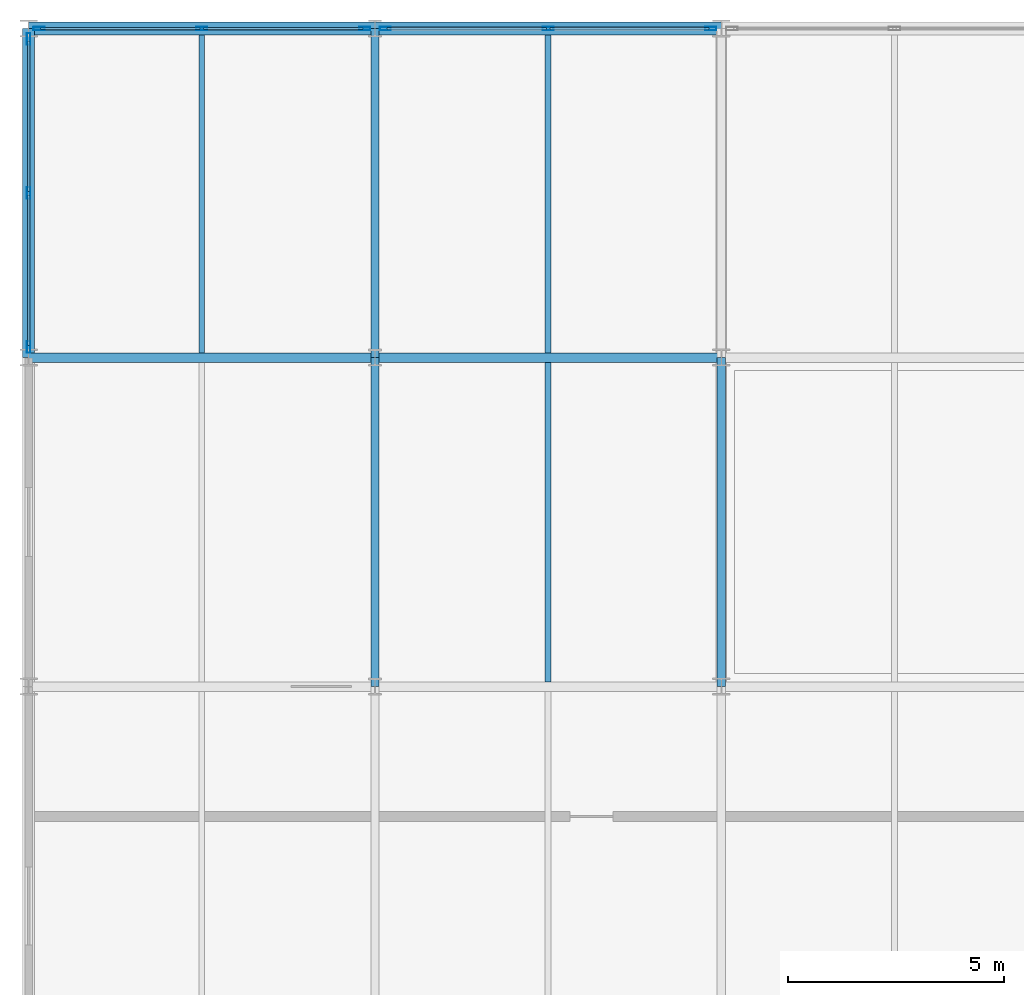
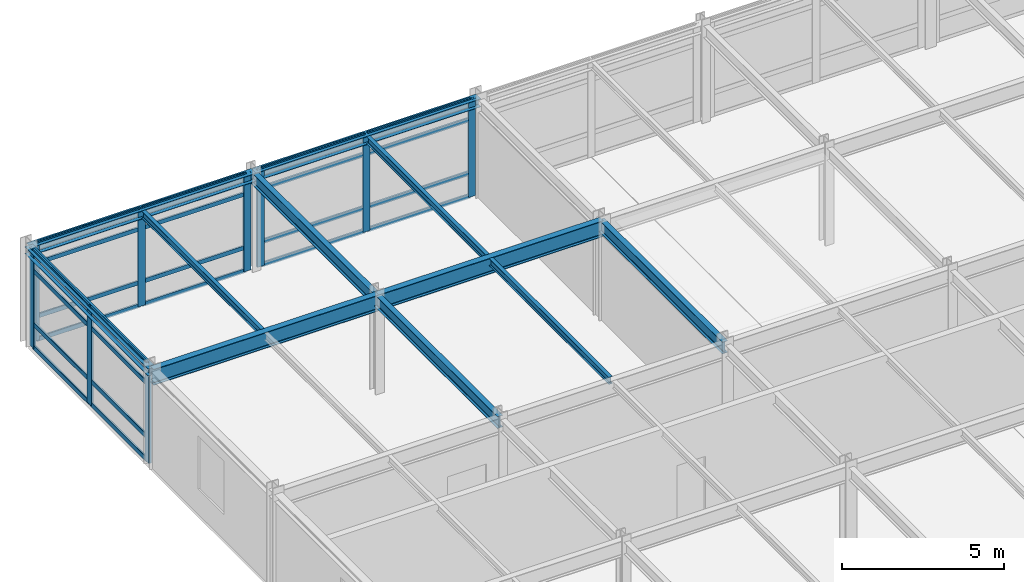
# One storey, part 6 of 14: 33 members, 11 beams, 3 elements without a shape of their own.
"""IFC4 building model written with IfcOpenShell, lengths in metres."""

from ifc_helpers import new_model, si_unit, direction, frame, origin, origin_2d, place, context, subcontext, project, spatial, hollow_rectangle, i_section, extrude, material, layer, layer_set, material_profile, profile_set, type_object, element, aggregate, save


model = new_model("IFC4")

# Units and contexts
model_context = context("Model", 3, precision=1e-05, world=origin(), true_north=direction((0.0, 1.0)))
body_context = subcontext(model_context, "Body", "Model", "MODEL_VIEW")
ifc_project = project(units=[si_unit("LENGTHUNIT", "METRE"), si_unit("AREAUNIT", "SQUARE_METRE"), si_unit("VOLUMEUNIT", "CUBIC_METRE"), si_unit("PLANEANGLEUNIT", "RADIAN"), si_unit("MASSUNIT", "GRAM", prefix="KILO")], contexts=[model_context])

# Site, building, storey
site_placement = place(None, origin())
site = spatial("IfcSite", under=ifc_project, at=site_placement, CompositionType="ELEMENT")
building_placement = place(site_placement, origin())
building = spatial("IfcBuilding", under=site, at=building_placement, Name="Shalkamar Park Central Library", CompositionType="ELEMENT")
storey_placement = place(building_placement, frame((0.0, 0.0, 28.199951171875)))
storey = spatial("IfcBuildingStorey", under=building, at=storey_placement, Name="L07", CompositionType="ELEMENT", Elevation=28.199951171875)

# Beams
ifc_material_1 = material(Name="Steel S355", Category="steel")
ifc_material_profile_1 = material_profile(ifc_material_1, i_section(OverallWidth=0.135009765625, OverallDepth=0.27001953125, WebThickness=0.006591796875, FlangeThickness=0.01025390625, FilletRadius=0.014892578125, at=origin_2d()), Name="IPE 270")
ifc_profile_set_1 = profile_set([ifc_material_profile_1], Name="Steel S355")
beam_type_1 = type_object("IfcBeamType", Name="Composite Floor Joist IPE270", PredefinedType="JOIST", material=ifc_profile_set_1)
beam_1_placement = place(storey_placement, frame((169.0, 285.7080078125, 3.525146484375), z_axis=(0.0, 1.0, 0.0), x_axis=(-1.0, 0.0, 0.0)))
element("IfcBeam", 1, at=beam_1_placement, inside=storey, type_object=beam_type_1, Name="Composite Joist 07/G-1 (L07)", PredefinedType="JOIST", context=body_context, shape_type="SweptSolid", body=[
    extrude(i_section(OverallWidth=0.135009765625, OverallDepth=0.27001953125, WebThickness=0.006591796875, FlangeThickness=0.01025390625, FilletRadius=0.014892578125, at=origin_2d()), origin(), (0.0, 0.0, 1.0), 7.343994140625),
])
beam_2_placement = place(storey_placement, frame((177.0, 278.10791015625, 3.525146484375), z_axis=(0.0, 1.0, 0.0), x_axis=(-1.0, 0.0, 0.0)))
element("IfcBeam", 2, at=beam_2_placement, inside=storey, type_object=beam_type_1, Name="Composite Joist 08/F-1 (L07)", PredefinedType="JOIST", context=body_context, shape_type="SweptSolid", body=[
    extrude(i_section(OverallWidth=0.135009765625, OverallDepth=0.27001953125, WebThickness=0.006591796875, FlangeThickness=0.01025390625, FilletRadius=0.014892578125, at=origin_2d()), origin(), (0.0, 0.0, 1.0), 7.384033203125),
])
beam_3_placement = place(storey_placement, frame((177.0, 285.7080078125, 3.525146484375), z_axis=(0.0, 1.0, 0.0), x_axis=(-1.0, 0.0, 0.0)))
element("IfcBeam", 3, at=beam_3_placement, inside=storey, type_object=beam_type_1, Name="Composite Joist 08/G-1 (L07)", PredefinedType="JOIST", context=body_context, shape_type="SweptSolid", body=[
    extrude(i_section(OverallWidth=0.135009765625, OverallDepth=0.27001953125, WebThickness=0.006591796875, FlangeThickness=0.01025390625, FilletRadius=0.014892578125, at=origin_2d()), origin(), (0.0, 0.0, 1.0), 7.343994140625),
])

# Curtain wall, members
ifc_material_2 = material(Name="Thermally broken aluminium and triple low-e curtain wall", Category="aluminium")
ifc_layer_1 = layer(ifc_material_2, 0.260009765625)
ifc_layer_set_1 = layer_set([ifc_layer_1], Name="UnitisedCurtainWall_72")
curtain_wall_type_1 = type_object("IfcCurtainWallType", Name="Unitised Curtain Wall 72", PredefinedType="USERDEFINED", material=ifc_layer_set_1)
curtain_wall_1_placement = place(storey_placement, origin())
curtain_wall_1 = element("IfcCurtainWall", 4, at=curtain_wall_1_placement, inside=storey, type_object=curtain_wall_type_1, Name="Unitised Curtain Wall CW-L07-096", ObjectType="UNITISED CURTAIN WALL", PredefinedType="USERDEFINED")
ifc_material_3 = material(Name="Aluminium 6060-T66", Category="aluminium")
ifc_material_profile_2 = material_profile(ifc_material_3, hollow_rectangle(XDim=0.074951171875, YDim=0.260009765625, WallThickness=0.00439453125, InnerFilletRadius=0.00439453125, OuterFilletRadius=0.0068359375, at=origin_2d()), Name="ALU 75x260x4.5")
ifc_profile_set_2 = profile_set([ifc_material_profile_2], Name="Aluminium 6060-T66")
member_type_1 = type_object("IfcMemberType", Name="Curtain Wall Mullion ALU75x260", PredefinedType="MULLION", material=ifc_profile_set_2)
member_1_placement = place(storey_placement, frame((165.240478515625, 293.199951171875, 0.0), z_axis=(0.0, 0.0, 1.0), x_axis=(0.0, 1.0, 0.0)))
member_1 = element("IfcMember", 5, at=member_1_placement, type_object=member_type_1, Name="CW-72 mullion 1", PredefinedType="MULLION", context=body_context, shape_type="SweptSolid", body=[
    extrude(hollow_rectangle(XDim=0.074951171875, YDim=0.260009765625, WallThickness=0.00439453125, InnerFilletRadius=0.00439453125, OuterFilletRadius=0.0068359375, at=origin_2d()), origin(), (0.0, 0.0, 1.0), 3.66015625),
])
member_2_placement = place(storey_placement, frame((169.000732421875, 293.199951171875, 0.0), z_axis=(0.0, 0.0, 1.0), x_axis=(0.0, 1.0, 0.0)))
member_2 = element("IfcMember", 6, at=member_2_placement, type_object=member_type_1, Name="CW-72 mullion 2", PredefinedType="MULLION", context=body_context, shape_type="SweptSolid", body=[
    extrude(hollow_rectangle(XDim=0.074951171875, YDim=0.260009765625, WallThickness=0.00439453125, InnerFilletRadius=0.00439453125, OuterFilletRadius=0.0068359375, at=origin_2d()), origin(), (0.0, 0.0, 1.0), 3.66015625),
])
member_3_placement = place(storey_placement, frame((172.760986328125, 293.199951171875, 0.0), z_axis=(0.0, 0.0, 1.0), x_axis=(0.0, 1.0, 0.0)))
member_3 = element("IfcMember", 7, at=member_3_placement, type_object=member_type_1, Name="CW-72 mullion 3", PredefinedType="MULLION", context=body_context, shape_type="SweptSolid", body=[
    extrude(hollow_rectangle(XDim=0.074951171875, YDim=0.260009765625, WallThickness=0.00439453125, InnerFilletRadius=0.00439453125, OuterFilletRadius=0.0068359375, at=origin_2d()), origin(), (0.0, 0.0, 1.0), 3.66015625),
])

ifc_layer_2 = layer(ifc_material_2, 0.2548828125)
ifc_layer_set_2 = layer_set([ifc_layer_2], Name="UnitisedCurtainWall_69")
curtain_wall_type_2 = type_object("IfcCurtainWallType", Name="Unitised Curtain Wall 69", PredefinedType="USERDEFINED", material=ifc_layer_set_2)
curtain_wall_2_placement = place(storey_placement, origin())
curtain_wall_2 = element("IfcCurtainWall", 8, at=curtain_wall_2_placement, inside=storey, type_object=curtain_wall_type_2, Name="Unitised Curtain Wall CW-L07-097", ObjectType="UNITISED CURTAIN WALL", PredefinedType="USERDEFINED")
ifc_material_profile_3 = material_profile(ifc_material_3, hollow_rectangle(XDim=0.080078125, YDim=0.2548828125, WallThickness=0.00439453125, InnerFilletRadius=0.00439453125, OuterFilletRadius=0.0068359375, at=origin_2d()), Name="ALU 80x255x4.5")
ifc_profile_set_3 = profile_set([ifc_material_profile_3], Name="Aluminium 6060-T66")
member_type_2 = type_object("IfcMemberType", Name="Curtain Wall Mullion ALU80x255", PredefinedType="MULLION", material=ifc_profile_set_3)
member_4_placement = place(storey_placement, frame((173.241455078125, 293.199951171875, 0.0), z_axis=(0.0, 0.0, 1.0), x_axis=(0.0, 1.0, 0.0)))
member_4 = element("IfcMember", 9, at=member_4_placement, type_object=member_type_2, Name="CW-69 mullion 1", PredefinedType="MULLION", context=body_context, shape_type="SweptSolid", body=[
    extrude(hollow_rectangle(XDim=0.080078125, YDim=0.2548828125, WallThickness=0.00439453125, InnerFilletRadius=0.00439453125, OuterFilletRadius=0.0068359375, at=origin_2d()), origin(), (0.0, 0.0, 1.0), 3.66015625),
])
member_5_placement = place(storey_placement, frame((176.999267578125, 293.199951171875, 0.0), z_axis=(0.0, 0.0, 1.0), x_axis=(0.0, 1.0, 0.0)))
member_5 = element("IfcMember", 10, at=member_5_placement, type_object=member_type_2, Name="CW-69 mullion 2", PredefinedType="MULLION", context=body_context, shape_type="SweptSolid", body=[
    extrude(hollow_rectangle(XDim=0.080078125, YDim=0.2548828125, WallThickness=0.00439453125, InnerFilletRadius=0.00439453125, OuterFilletRadius=0.0068359375, at=origin_2d()), origin(), (0.0, 0.0, 1.0), 3.66015625),
])
member_6_placement = place(storey_placement, frame((180.757080078125, 293.199951171875, 0.0), z_axis=(0.0, 0.0, 1.0), x_axis=(0.0, 1.0, 0.0)))
member_6 = element("IfcMember", 11, at=member_6_placement, type_object=member_type_2, Name="CW-69 mullion 3", PredefinedType="MULLION", context=body_context, shape_type="SweptSolid", body=[
    extrude(hollow_rectangle(XDim=0.080078125, YDim=0.2548828125, WallThickness=0.00439453125, InnerFilletRadius=0.00439453125, OuterFilletRadius=0.0068359375, at=origin_2d()), origin(), (0.0, 0.0, 1.0), 3.66015625),
])

ifc_layer_3 = layer(ifc_material_2, 0.27001953125)
ifc_layer_set_3 = layer_set([ifc_layer_3], Name="UnitisedCurtainWall_74")
curtain_wall_type_3 = type_object("IfcCurtainWallType", Name="Unitised Curtain Wall 74", PredefinedType="USERDEFINED", material=ifc_layer_set_3)
curtain_wall_3_placement = place(storey_placement, origin())
curtain_wall_3 = element("IfcCurtainWall", 12, at=curtain_wall_3_placement, inside=storey, type_object=curtain_wall_type_3, Name="Unitised Curtain Wall CW-L07-103", ObjectType="UNITISED CURTAIN WALL", PredefinedType="USERDEFINED")
ifc_material_profile_4 = material_profile(ifc_material_3, hollow_rectangle(XDim=0.080078125, YDim=0.27001953125, WallThickness=0.0048828125, InnerFilletRadius=0.0048828125, OuterFilletRadius=0.007568359375, at=origin_2d()), Name="ALU 80x270x5")
ifc_profile_set_4 = profile_set([ifc_material_profile_4], Name="Aluminium 6060-T66")
member_type_3 = type_object("IfcMemberType", Name="Curtain Wall Mullion ALU80x270", PredefinedType="MULLION", material=ifc_profile_set_4)
member_7_placement = place(storey_placement, frame((165.0, 285.843017578125, 0.0), z_axis=(0.0, 0.0, 1.0), x_axis=(-1.0, 0.0, 0.0)))
member_7 = element("IfcMember", 13, at=member_7_placement, type_object=member_type_3, Name="CW-74 mullion 1", PredefinedType="MULLION", context=body_context, shape_type="SweptSolid", body=[
    extrude(hollow_rectangle(XDim=0.080078125, YDim=0.27001953125, WallThickness=0.0048828125, InnerFilletRadius=0.0048828125, OuterFilletRadius=0.007568359375, at=origin_2d()), origin(), (0.0, 0.0, 1.0), 3.66015625),
])
member_8_placement = place(storey_placement, frame((165.0, 289.39990234375, 0.0), z_axis=(0.0, 0.0, 1.0), x_axis=(-1.0, 0.0, 0.0)))
member_8 = element("IfcMember", 14, at=member_8_placement, type_object=member_type_3, Name="CW-74 mullion 2", PredefinedType="MULLION", context=body_context, shape_type="SweptSolid", body=[
    extrude(hollow_rectangle(XDim=0.080078125, YDim=0.27001953125, WallThickness=0.0048828125, InnerFilletRadius=0.0048828125, OuterFilletRadius=0.007568359375, at=origin_2d()), origin(), (0.0, 0.0, 1.0), 3.66015625),
])
member_9_placement = place(storey_placement, frame((165.0, 292.95703125, 0.0), z_axis=(0.0, 0.0, 1.0), x_axis=(-1.0, 0.0, 0.0)))
member_9 = element("IfcMember", 15, at=member_9_placement, type_object=member_type_3, Name="CW-74 mullion 3", PredefinedType="MULLION", context=body_context, shape_type="SweptSolid", body=[
    extrude(hollow_rectangle(XDim=0.080078125, YDim=0.27001953125, WallThickness=0.0048828125, InnerFilletRadius=0.0048828125, OuterFilletRadius=0.007568359375, at=origin_2d()), origin(), (0.0, 0.0, 1.0), 3.66015625),
])

# Member
ifc_material_profile_5 = material_profile(ifc_material_3, hollow_rectangle(XDim=0.06005859375, YDim=0.1650390625, WallThickness=0.00390625, InnerFilletRadius=0.00390625, OuterFilletRadius=0.006103515625, at=origin_2d()), Name="ALU 60x165x4")
ifc_profile_set_5 = profile_set([ifc_material_profile_5], Name="Aluminium 6060-T66")
member_type_4 = type_object("IfcMemberType", Name="Curtain Wall Transom ALU60x165", PredefinedType="USERDEFINED", material=ifc_profile_set_5)
member_10_placement = place(storey_placement, frame((165.278076171875, 293.199951171875, 0.030029296875), z_axis=(1.0, 0.0, 0.0), x_axis=(0.0, 1.0, 0.0)))
member_10 = element("IfcMember", 16, at=member_10_placement, type_object=member_type_4, Name="CW-72 transom 1.1", ObjectType="TRANSOM", PredefinedType="USERDEFINED", context=body_context, shape_type="SweptSolid", body=[
    extrude(hollow_rectangle(XDim=0.06005859375, YDim=0.1650390625, WallThickness=0.00390625, InnerFilletRadius=0.00390625, OuterFilletRadius=0.006103515625, at=origin_2d()), origin(), (0.0, 0.0, 1.0), 3.68505859375),
])

member_11_placement = place(storey_placement, frame((165.278076171875, 293.199951171875, 0.900146484375), z_axis=(1.0, 0.0, 0.0), x_axis=(0.0, 1.0, 0.0)))
member_11 = element("IfcMember", 17, at=member_11_placement, type_object=member_type_4, Name="CW-72 transom 1.2", ObjectType="TRANSOM", PredefinedType="USERDEFINED", context=body_context, shape_type="SweptSolid", body=[
    extrude(hollow_rectangle(XDim=0.06005859375, YDim=0.1650390625, WallThickness=0.00390625, InnerFilletRadius=0.00390625, OuterFilletRadius=0.006103515625, at=origin_2d()), origin(), (0.0, 0.0, 1.0), 3.68505859375),
])

member_12_placement = place(storey_placement, frame((165.278076171875, 293.199951171875, 2.91015625), z_axis=(1.0, 0.0, 0.0), x_axis=(0.0, 1.0, 0.0)))
member_12 = element("IfcMember", 18, at=member_12_placement, type_object=member_type_4, Name="CW-72 transom 1.3", ObjectType="TRANSOM", PredefinedType="USERDEFINED", context=body_context, shape_type="SweptSolid", body=[
    extrude(hollow_rectangle(XDim=0.06005859375, YDim=0.1650390625, WallThickness=0.00390625, InnerFilletRadius=0.00390625, OuterFilletRadius=0.006103515625, at=origin_2d()), origin(), (0.0, 0.0, 1.0), 3.68505859375),
])

member_13_placement = place(storey_placement, frame((165.278076171875, 293.199951171875, 3.630126953125), z_axis=(1.0, 0.0, 0.0), x_axis=(0.0, 1.0, 0.0)))
member_13 = element("IfcMember", 19, at=member_13_placement, type_object=member_type_4, Name="CW-72 transom 1.4", ObjectType="TRANSOM", PredefinedType="USERDEFINED", context=body_context, shape_type="SweptSolid", body=[
    extrude(hollow_rectangle(XDim=0.06005859375, YDim=0.1650390625, WallThickness=0.00390625, InnerFilletRadius=0.00390625, OuterFilletRadius=0.006103515625, at=origin_2d()), origin(), (0.0, 0.0, 1.0), 3.68505859375),
])

member_14_placement = place(storey_placement, frame((169.038330078125, 293.199951171875, 0.030029296875), z_axis=(1.0, 0.0, 0.0), x_axis=(0.0, 1.0, 0.0)))
member_14 = element("IfcMember", 20, at=member_14_placement, type_object=member_type_4, Name="CW-72 transom 2.1", ObjectType="TRANSOM", PredefinedType="USERDEFINED", context=body_context, shape_type="SweptSolid", body=[
    extrude(hollow_rectangle(XDim=0.06005859375, YDim=0.1650390625, WallThickness=0.00390625, InnerFilletRadius=0.00390625, OuterFilletRadius=0.006103515625, at=origin_2d()), origin(), (0.0, 0.0, 1.0), 3.68505859375),
])

member_15_placement = place(storey_placement, frame((169.038330078125, 293.199951171875, 0.900146484375), z_axis=(1.0, 0.0, 0.0), x_axis=(0.0, 1.0, 0.0)))
member_15 = element("IfcMember", 21, at=member_15_placement, type_object=member_type_4, Name="CW-72 transom 2.2", ObjectType="TRANSOM", PredefinedType="USERDEFINED", context=body_context, shape_type="SweptSolid", body=[
    extrude(hollow_rectangle(XDim=0.06005859375, YDim=0.1650390625, WallThickness=0.00390625, InnerFilletRadius=0.00390625, OuterFilletRadius=0.006103515625, at=origin_2d()), origin(), (0.0, 0.0, 1.0), 3.68505859375),
])

member_16_placement = place(storey_placement, frame((169.038330078125, 293.199951171875, 2.91015625), z_axis=(1.0, 0.0, 0.0), x_axis=(0.0, 1.0, 0.0)))
member_16 = element("IfcMember", 22, at=member_16_placement, type_object=member_type_4, Name="CW-72 transom 2.3", ObjectType="TRANSOM", PredefinedType="USERDEFINED", context=body_context, shape_type="SweptSolid", body=[
    extrude(hollow_rectangle(XDim=0.06005859375, YDim=0.1650390625, WallThickness=0.00390625, InnerFilletRadius=0.00390625, OuterFilletRadius=0.006103515625, at=origin_2d()), origin(), (0.0, 0.0, 1.0), 3.68505859375),
])

member_17_placement = place(storey_placement, frame((169.038330078125, 293.199951171875, 3.630126953125), z_axis=(1.0, 0.0, 0.0), x_axis=(0.0, 1.0, 0.0)))
member_17 = element("IfcMember", 23, at=member_17_placement, type_object=member_type_4, Name="CW-72 transom 2.4", ObjectType="TRANSOM", PredefinedType="USERDEFINED", context=body_context, shape_type="SweptSolid", body=[
    extrude(hollow_rectangle(XDim=0.06005859375, YDim=0.1650390625, WallThickness=0.00390625, InnerFilletRadius=0.00390625, OuterFilletRadius=0.006103515625, at=origin_2d()), origin(), (0.0, 0.0, 1.0), 3.68505859375),
])

aggregate(curtain_wall_1, [member_1, member_2, member_3, member_10, member_11, member_12, member_13, member_14, member_15, member_16, member_17])

ifc_material_profile_6 = material_profile(ifc_material_3, hollow_rectangle(XDim=0.06494140625, YDim=0.169921875, WallThickness=0.00390625, InnerFilletRadius=0.00390625, OuterFilletRadius=0.006103515625, at=origin_2d()), Name="ALU 65x170x4")
ifc_profile_set_6 = profile_set([ifc_material_profile_6], Name="Aluminium 6060-T66")
member_type_5 = type_object("IfcMemberType", Name="Curtain Wall Transom ALU65x170", PredefinedType="USERDEFINED", material=ifc_profile_set_6)
member_18_placement = place(storey_placement, frame((173.281494140625, 293.199951171875, 0.032470703125), z_axis=(1.0, 0.0, 0.0), x_axis=(0.0, 1.0, 0.0)))
member_18 = element("IfcMember", 24, at=member_18_placement, type_object=member_type_5, Name="CW-69 transom 1.1", ObjectType="TRANSOM", PredefinedType="USERDEFINED", context=body_context, shape_type="SweptSolid", body=[
    extrude(hollow_rectangle(XDim=0.06494140625, YDim=0.169921875, WallThickness=0.00390625, InnerFilletRadius=0.00390625, OuterFilletRadius=0.006103515625, at=origin_2d()), origin(), (0.0, 0.0, 1.0), 3.677734375),
])

member_19_placement = place(storey_placement, frame((173.281494140625, 293.199951171875, 0.900146484375), z_axis=(1.0, 0.0, 0.0), x_axis=(0.0, 1.0, 0.0)))
member_19 = element("IfcMember", 25, at=member_19_placement, type_object=member_type_5, Name="CW-69 transom 1.2", ObjectType="TRANSOM", PredefinedType="USERDEFINED", context=body_context, shape_type="SweptSolid", body=[
    extrude(hollow_rectangle(XDim=0.06494140625, YDim=0.169921875, WallThickness=0.00390625, InnerFilletRadius=0.00390625, OuterFilletRadius=0.006103515625, at=origin_2d()), origin(), (0.0, 0.0, 1.0), 3.677734375),
])

member_20_placement = place(storey_placement, frame((173.281494140625, 293.199951171875, 2.91015625), z_axis=(1.0, 0.0, 0.0), x_axis=(0.0, 1.0, 0.0)))
member_20 = element("IfcMember", 26, at=member_20_placement, type_object=member_type_5, Name="CW-69 transom 1.3", ObjectType="TRANSOM", PredefinedType="USERDEFINED", context=body_context, shape_type="SweptSolid", body=[
    extrude(hollow_rectangle(XDim=0.06494140625, YDim=0.169921875, WallThickness=0.00390625, InnerFilletRadius=0.00390625, OuterFilletRadius=0.006103515625, at=origin_2d()), origin(), (0.0, 0.0, 1.0), 3.677734375),
])

member_21_placement = place(storey_placement, frame((173.281494140625, 293.199951171875, 3.62744140625), z_axis=(1.0, 0.0, 0.0), x_axis=(0.0, 1.0, 0.0)))
member_21 = element("IfcMember", 27, at=member_21_placement, type_object=member_type_5, Name="CW-69 transom 1.4", ObjectType="TRANSOM", PredefinedType="USERDEFINED", context=body_context, shape_type="SweptSolid", body=[
    extrude(hollow_rectangle(XDim=0.06494140625, YDim=0.169921875, WallThickness=0.00390625, InnerFilletRadius=0.00390625, OuterFilletRadius=0.006103515625, at=origin_2d()), origin(), (0.0, 0.0, 1.0), 3.677734375),
])

member_22_placement = place(storey_placement, frame((177.039306640625, 293.199951171875, 0.032470703125), z_axis=(1.0, 0.0, 0.0), x_axis=(0.0, 1.0, 0.0)))
member_22 = element("IfcMember", 28, at=member_22_placement, type_object=member_type_5, Name="CW-69 transom 2.1", ObjectType="TRANSOM", PredefinedType="USERDEFINED", context=body_context, shape_type="SweptSolid", body=[
    extrude(hollow_rectangle(XDim=0.06494140625, YDim=0.169921875, WallThickness=0.00390625, InnerFilletRadius=0.00390625, OuterFilletRadius=0.006103515625, at=origin_2d()), origin(), (0.0, 0.0, 1.0), 3.677734375),
])

member_23_placement = place(storey_placement, frame((177.039306640625, 293.199951171875, 0.900146484375), z_axis=(1.0, 0.0, 0.0), x_axis=(0.0, 1.0, 0.0)))
member_23 = element("IfcMember", 29, at=member_23_placement, type_object=member_type_5, Name="CW-69 transom 2.2", ObjectType="TRANSOM", PredefinedType="USERDEFINED", context=body_context, shape_type="SweptSolid", body=[
    extrude(hollow_rectangle(XDim=0.06494140625, YDim=0.169921875, WallThickness=0.00390625, InnerFilletRadius=0.00390625, OuterFilletRadius=0.006103515625, at=origin_2d()), origin(), (0.0, 0.0, 1.0), 3.677734375),
])

member_24_placement = place(storey_placement, frame((177.039306640625, 293.199951171875, 2.91015625), z_axis=(1.0, 0.0, 0.0), x_axis=(0.0, 1.0, 0.0)))
member_24 = element("IfcMember", 30, at=member_24_placement, type_object=member_type_5, Name="CW-69 transom 2.3", ObjectType="TRANSOM", PredefinedType="USERDEFINED", context=body_context, shape_type="SweptSolid", body=[
    extrude(hollow_rectangle(XDim=0.06494140625, YDim=0.169921875, WallThickness=0.00390625, InnerFilletRadius=0.00390625, OuterFilletRadius=0.006103515625, at=origin_2d()), origin(), (0.0, 0.0, 1.0), 3.677734375),
])

member_25_placement = place(storey_placement, frame((177.039306640625, 293.199951171875, 3.62744140625), z_axis=(1.0, 0.0, 0.0), x_axis=(0.0, 1.0, 0.0)))
member_25 = element("IfcMember", 31, at=member_25_placement, type_object=member_type_5, Name="CW-69 transom 2.4", ObjectType="TRANSOM", PredefinedType="USERDEFINED", context=body_context, shape_type="SweptSolid", body=[
    extrude(hollow_rectangle(XDim=0.06494140625, YDim=0.169921875, WallThickness=0.00390625, InnerFilletRadius=0.00390625, OuterFilletRadius=0.006103515625, at=origin_2d()), origin(), (0.0, 0.0, 1.0), 3.677734375),
])

aggregate(curtain_wall_2, [member_4, member_5, member_6, member_18, member_19, member_20, member_21, member_22, member_23, member_24, member_25])

ifc_material_profile_7 = material_profile(ifc_material_3, hollow_rectangle(XDim=0.06494140625, YDim=0.175048828125, WallThickness=0.00439453125, InnerFilletRadius=0.00439453125, OuterFilletRadius=0.0068359375, at=origin_2d()), Name="ALU 65x175x4.5")
ifc_profile_set_7 = profile_set([ifc_material_profile_7], Name="Aluminium 6060-T66")
member_type_6 = type_object("IfcMemberType", Name="Curtain Wall Transom ALU65x175", PredefinedType="USERDEFINED", material=ifc_profile_set_7)
member_26_placement = place(storey_placement, frame((165.0, 285.883056640625, 0.032470703125), z_axis=(0.0, 1.0, 0.0), x_axis=(-1.0, 0.0, 0.0)))
member_26 = element("IfcMember", 32, at=member_26_placement, type_object=member_type_6, Name="CW-74 transom 1.1", ObjectType="TRANSOM", PredefinedType="USERDEFINED", context=body_context, shape_type="SweptSolid", body=[
    extrude(hollow_rectangle(XDim=0.06494140625, YDim=0.175048828125, WallThickness=0.00439453125, InnerFilletRadius=0.00439453125, OuterFilletRadius=0.0068359375, at=origin_2d()), origin(), (0.0, 0.0, 1.0), 3.47705078125),
])

member_27_placement = place(storey_placement, frame((165.0, 285.883056640625, 0.900146484375), z_axis=(0.0, 1.0, 0.0), x_axis=(-1.0, 0.0, 0.0)))
member_27 = element("IfcMember", 33, at=member_27_placement, type_object=member_type_6, Name="CW-74 transom 1.2", ObjectType="TRANSOM", PredefinedType="USERDEFINED", context=body_context, shape_type="SweptSolid", body=[
    extrude(hollow_rectangle(XDim=0.06494140625, YDim=0.175048828125, WallThickness=0.00439453125, InnerFilletRadius=0.00439453125, OuterFilletRadius=0.0068359375, at=origin_2d()), origin(), (0.0, 0.0, 1.0), 3.47705078125),
])

member_28_placement = place(storey_placement, frame((165.0, 285.883056640625, 2.91015625), z_axis=(0.0, 1.0, 0.0), x_axis=(-1.0, 0.0, 0.0)))
member_28 = element("IfcMember", 34, at=member_28_placement, type_object=member_type_6, Name="CW-74 transom 1.3", ObjectType="TRANSOM", PredefinedType="USERDEFINED", context=body_context, shape_type="SweptSolid", body=[
    extrude(hollow_rectangle(XDim=0.06494140625, YDim=0.175048828125, WallThickness=0.00439453125, InnerFilletRadius=0.00439453125, OuterFilletRadius=0.0068359375, at=origin_2d()), origin(), (0.0, 0.0, 1.0), 3.47705078125),
])

member_29_placement = place(storey_placement, frame((165.0, 285.883056640625, 3.62744140625), z_axis=(0.0, 1.0, 0.0), x_axis=(-1.0, 0.0, 0.0)))
member_29 = element("IfcMember", 35, at=member_29_placement, type_object=member_type_6, Name="CW-74 transom 1.4", ObjectType="TRANSOM", PredefinedType="USERDEFINED", context=body_context, shape_type="SweptSolid", body=[
    extrude(hollow_rectangle(XDim=0.06494140625, YDim=0.175048828125, WallThickness=0.00439453125, InnerFilletRadius=0.00439453125, OuterFilletRadius=0.0068359375, at=origin_2d()), origin(), (0.0, 0.0, 1.0), 3.47705078125),
])

member_30_placement = place(storey_placement, frame((165.0, 289.43994140625, 0.032470703125), z_axis=(0.0, 1.0, 0.0), x_axis=(-1.0, 0.0, 0.0)))
member_30 = element("IfcMember", 36, at=member_30_placement, type_object=member_type_6, Name="CW-74 transom 2.1", ObjectType="TRANSOM", PredefinedType="USERDEFINED", context=body_context, shape_type="SweptSolid", body=[
    extrude(hollow_rectangle(XDim=0.06494140625, YDim=0.175048828125, WallThickness=0.00439453125, InnerFilletRadius=0.00439453125, OuterFilletRadius=0.0068359375, at=origin_2d()), origin(), (0.0, 0.0, 1.0), 3.47705078125),
])

member_31_placement = place(storey_placement, frame((165.0, 289.43994140625, 0.900146484375), z_axis=(0.0, 1.0, 0.0), x_axis=(-1.0, 0.0, 0.0)))
member_31 = element("IfcMember", 37, at=member_31_placement, type_object=member_type_6, Name="CW-74 transom 2.2", ObjectType="TRANSOM", PredefinedType="USERDEFINED", context=body_context, shape_type="SweptSolid", body=[
    extrude(hollow_rectangle(XDim=0.06494140625, YDim=0.175048828125, WallThickness=0.00439453125, InnerFilletRadius=0.00439453125, OuterFilletRadius=0.0068359375, at=origin_2d()), origin(), (0.0, 0.0, 1.0), 3.47705078125),
])

member_32_placement = place(storey_placement, frame((165.0, 289.43994140625, 2.91015625), z_axis=(0.0, 1.0, 0.0), x_axis=(-1.0, 0.0, 0.0)))
member_32 = element("IfcMember", 38, at=member_32_placement, type_object=member_type_6, Name="CW-74 transom 2.3", ObjectType="TRANSOM", PredefinedType="USERDEFINED", context=body_context, shape_type="SweptSolid", body=[
    extrude(hollow_rectangle(XDim=0.06494140625, YDim=0.175048828125, WallThickness=0.00439453125, InnerFilletRadius=0.00439453125, OuterFilletRadius=0.0068359375, at=origin_2d()), origin(), (0.0, 0.0, 1.0), 3.47705078125),
])

member_33_placement = place(storey_placement, frame((165.0, 289.43994140625, 3.62744140625), z_axis=(0.0, 1.0, 0.0), x_axis=(-1.0, 0.0, 0.0)))
member_33 = element("IfcMember", 39, at=member_33_placement, type_object=member_type_6, Name="CW-74 transom 2.4", ObjectType="TRANSOM", PredefinedType="USERDEFINED", context=body_context, shape_type="SweptSolid", body=[
    extrude(hollow_rectangle(XDim=0.06494140625, YDim=0.175048828125, WallThickness=0.00439453125, InnerFilletRadius=0.00439453125, OuterFilletRadius=0.0068359375, at=origin_2d()), origin(), (0.0, 0.0, 1.0), 3.47705078125),
])

aggregate(curtain_wall_3, [member_7, member_8, member_9, member_26, member_27, member_28, member_29, member_30, member_31, member_32, member_33])

# Beams
ifc_material_profile_8 = material_profile(ifc_material_1, i_section(OverallWidth=0.280029296875, OverallDepth=0.27001953125, WebThickness=0.008056640625, FlangeThickness=0.012939453125, FilletRadius=0.02392578125, at=origin_2d()), Name="HEA 280")
ifc_profile_set_8 = profile_set([ifc_material_profile_8], Name="Steel S355")
beam_type_2 = type_object("IfcBeamType", Name="Perimeter Spandrel Beam HEA280", PredefinedType="SPANDREL", material=ifc_profile_set_8)
beam_4_placement = place(storey_placement, frame((165.0, 285.60009765625, 3.525146484375), z_axis=(0.0, 1.0, 0.0), x_axis=(-1.0, 0.0, 0.0)))
element("IfcBeam", 40, at=beam_4_placement, inside=storey, type_object=beam_type_2, Name="Beam 07:G-H (L07)", PredefinedType="SPANDREL", context=body_context, shape_type="SweptSolid", body=[
    extrude(i_section(OverallWidth=0.280029296875, OverallDepth=0.27001953125, WebThickness=0.008056640625, FlangeThickness=0.012939453125, FilletRadius=0.02392578125, at=origin_2d()), origin(), (0.0, 0.0, 1.0), 7.599853515625),
])
ifc_material_profile_9 = material_profile(ifc_material_1, i_section(OverallWidth=0.300048828125, OverallDepth=0.31005859375, WebThickness=0.009033203125, FlangeThickness=0.015380859375, FilletRadius=0.027099609375, at=origin_2d()), Name="HEA 320")
ifc_profile_set_9 = profile_set([ifc_material_profile_9], Name="Steel S355")
beam_type_3 = type_object("IfcBeamType", Name="Perimeter Spandrel Beam HEA320", PredefinedType="SPANDREL", material=ifc_profile_set_9)
for number, where, z_axis, x_axis, name in (
    (41, (165.0, 293.199951171875, 3.505126953125), (1.0, 0.0, 0.0), (0.0, 1.0, 0.0), "Beam H:07-08 (L07)"),
    (42, (173.0, 293.199951171875, 3.505126953125), (1.0, 0.0, 0.0), (0.0, 1.0, 0.0), "Beam H:08-09 (L07)"),
):
    element("IfcBeam", number, at=place(storey_placement, frame(where, z_axis=z_axis, x_axis=x_axis)), inside=storey, type_object=beam_type_3, Name=name, PredefinedType="SPANDREL", context=body_context, shape_type="SweptSolid", body=[
        extrude(i_section(OverallWidth=0.300048828125, OverallDepth=0.31005859375, WebThickness=0.009033203125, FlangeThickness=0.015380859375, FilletRadius=0.027099609375, at=origin_2d()), origin(), (0.0, 0.0, 1.0), 8.0),
    ])
ifc_material_profile_10 = material_profile(ifc_material_1, i_section(OverallWidth=0.18994140625, OverallDepth=0.449951171875, WebThickness=0.009521484375, FlangeThickness=0.0146484375, FilletRadius=0.02099609375, at=origin_2d()), Name="IPE 450")
ifc_profile_set_10 = profile_set([ifc_material_profile_10], Name="Steel S355")
beam_type_4 = type_object("IfcBeamType", Name="Primary Girder IPE450", PredefinedType="BEAM", material=ifc_profile_set_10)
beam_5_placement = place(storey_placement, frame((173.0, 278.0, 3.43505859375), z_axis=(0.0, 1.0, 0.0), x_axis=(-1.0, 0.0, 0.0)))
element("IfcBeam", 43, at=beam_5_placement, inside=storey, type_object=beam_type_4, Name="Beam 08:F-G (L07)", PredefinedType="BEAM", context=body_context, shape_type="SweptSolid", body=[
    extrude(i_section(OverallWidth=0.18994140625, OverallDepth=0.449951171875, WebThickness=0.009521484375, FlangeThickness=0.0146484375, FilletRadius=0.02099609375, at=origin_2d()), origin(), (0.0, 0.0, 1.0), 7.60009765625),
])
beam_6_placement = place(storey_placement, frame((173.0, 285.60009765625, 3.43505859375), z_axis=(0.0, 1.0, 0.0), x_axis=(-1.0, 0.0, 0.0)))
element("IfcBeam", 44, at=beam_6_placement, inside=storey, type_object=beam_type_4, Name="Beam 08:G-H (L07)", PredefinedType="BEAM", context=body_context, shape_type="SweptSolid", body=[
    extrude(i_section(OverallWidth=0.18994140625, OverallDepth=0.449951171875, WebThickness=0.009521484375, FlangeThickness=0.0146484375, FilletRadius=0.02099609375, at=origin_2d()), origin(), (0.0, 0.0, 1.0), 7.599853515625),
])
beam_7_placement = place(storey_placement, frame((181.0, 278.0, 3.43505859375), z_axis=(0.0, 1.0, 0.0), x_axis=(-1.0, 0.0, 0.0)))
element("IfcBeam", 45, at=beam_7_placement, inside=storey, type_object=beam_type_4, Name="Beam 09:F-G (L07)", PredefinedType="BEAM", context=body_context, shape_type="SweptSolid", body=[
    extrude(i_section(OverallWidth=0.18994140625, OverallDepth=0.449951171875, WebThickness=0.009521484375, FlangeThickness=0.0146484375, FilletRadius=0.02099609375, at=origin_2d()), origin(), (0.0, 0.0, 1.0), 7.60009765625),
])
ifc_material_profile_11 = material_profile(ifc_material_1, i_section(OverallWidth=0.219970703125, OverallDepth=0.60009765625, WebThickness=0.011962890625, FlangeThickness=0.01904296875, FilletRadius=0.02392578125, at=origin_2d()), Name="IPE 600")
ifc_profile_set_11 = profile_set([ifc_material_profile_11], Name="Steel S355")
beam_type_5 = type_object("IfcBeamType", Name="Primary Girder IPE600", PredefinedType="BEAM", material=ifc_profile_set_11)
for number, where, z_axis, x_axis, name in (
    (46, (165.0, 285.60009765625, 3.360107421875), (1.0, 0.0, 0.0), (0.0, 1.0, 0.0), "Beam G:07-08 (L07)"),
    (47, (173.0, 285.60009765625, 3.360107421875), (1.0, 0.0, 0.0), (0.0, 1.0, 0.0), "Beam G:08-09 (L07)"),
):
    element("IfcBeam", number, at=place(storey_placement, frame(where, z_axis=z_axis, x_axis=x_axis)), inside=storey, type_object=beam_type_5, Name=name, PredefinedType="BEAM", context=body_context, shape_type="SweptSolid", body=[
        extrude(i_section(OverallWidth=0.219970703125, OverallDepth=0.60009765625, WebThickness=0.011962890625, FlangeThickness=0.01904296875, FilletRadius=0.02392578125, at=origin_2d()), origin(), (0.0, 0.0, 1.0), 8.0),
    ])

save(model, "model.ifc")
